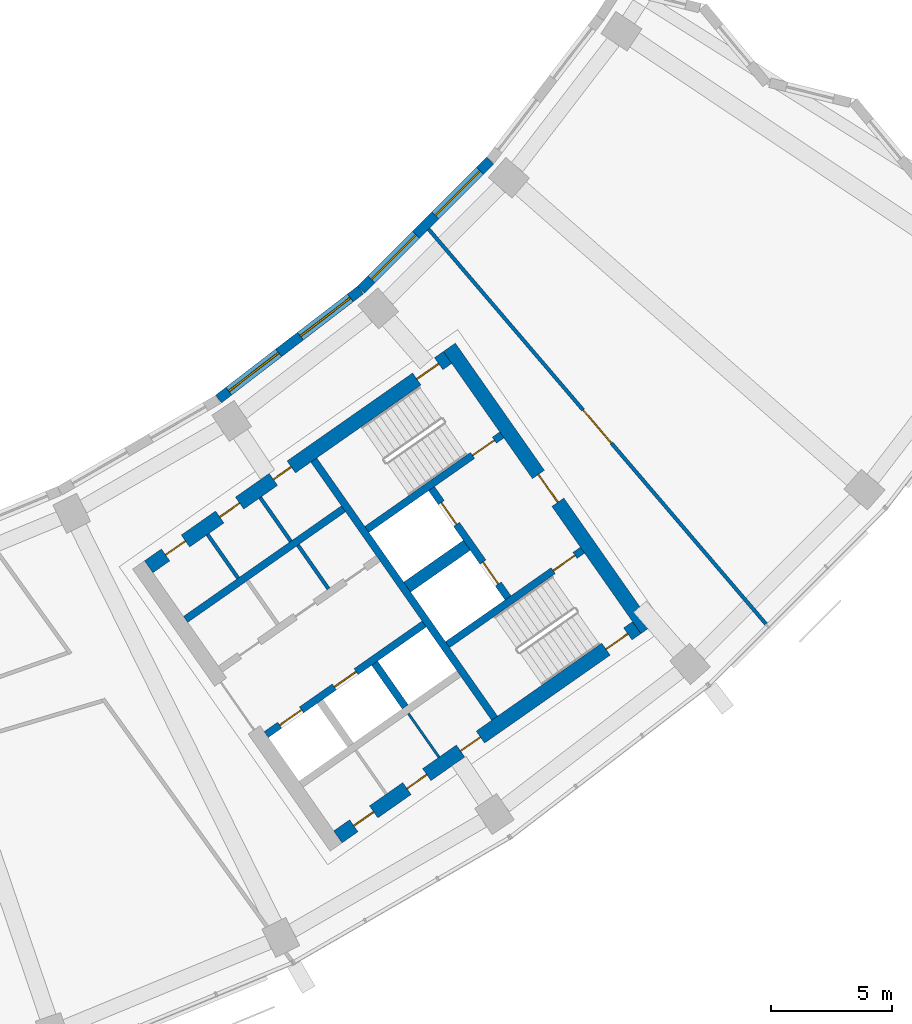
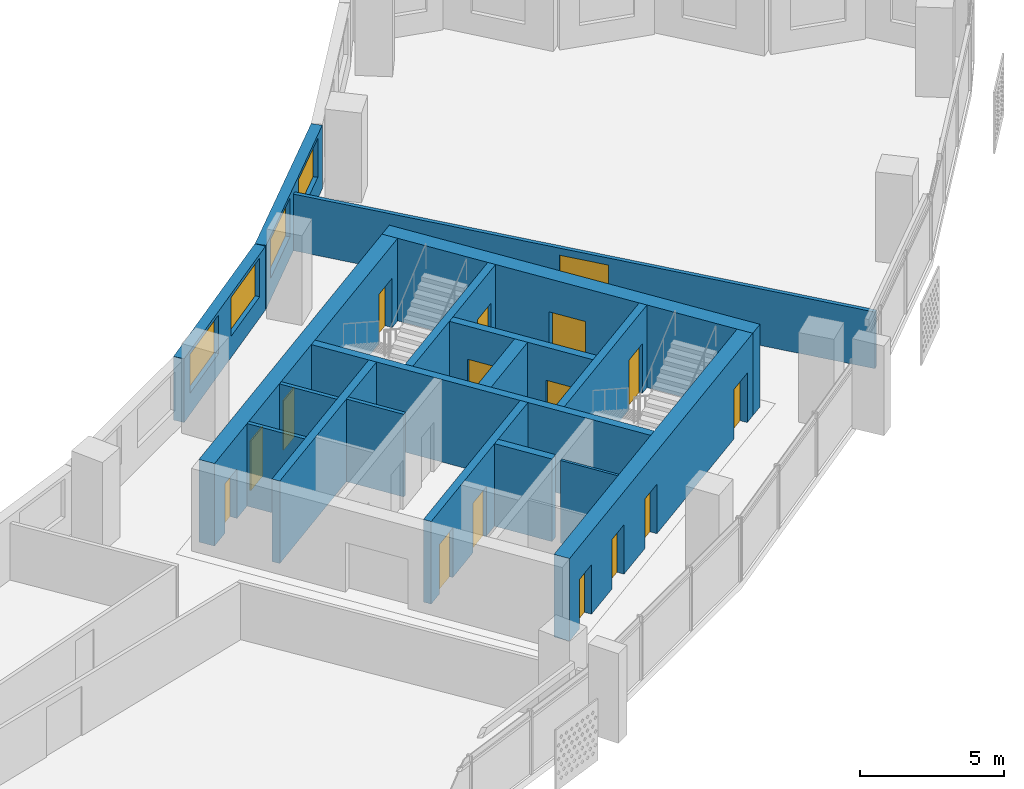
# One storey, part 7 of 26: 18 walls, 16 doors, 4 windows, 20 openings.
"""IFC4 building model written with IfcOpenShell, lengths in metres."""

from ifc_helpers import new_model, si_unit, direction, frame, frame_2d, origin, place, context, subcontext, project, spatial, rectangle, extrude, material, layer, layer_set, type_object, element, fill, save


model = new_model("IFC4")

# Units and contexts
model_context = context("Model", 3, precision=1e-05, world=origin(), true_north=direction((0.0, 1.0)))
body_context = subcontext(model_context, "Body", "Model", "MODEL_VIEW")
ifc_project = project(units=[si_unit("LENGTHUNIT", "METRE"), si_unit("AREAUNIT", "SQUARE_METRE"), si_unit("VOLUMEUNIT", "CUBIC_METRE"), si_unit("PLANEANGLEUNIT", "RADIAN"), si_unit("MASSUNIT", "GRAM", prefix="KILO")], contexts=[model_context])

# Site, building, storey
site_placement = place(None, origin())
site = spatial("IfcSite", under=ifc_project, at=site_placement, CompositionType="ELEMENT")
building_placement = place(site_placement, origin())
building = spatial("IfcBuilding", under=site, at=building_placement, Name="Qamariyya Broadcast Tower", CompositionType="ELEMENT")
storey_placement = place(building_placement, frame((0.0, 0.0, 160.699951171875)))
storey = spatial("IfcBuildingStorey", under=building, at=storey_placement, Name="L37", CompositionType="ELEMENT", Elevation=160.699951171875)

# Wall, opening, door
ifc_material_1 = material(Name="Concrete C60/75", Category="concrete")
ifc_layer_1 = layer(ifc_material_1, 0.60009765625)
ifc_layer_set_1 = layer_set([ifc_layer_1], Name="Core wall 600 mm Concrete C60/75")
wall_type_1 = type_object("IfcWallType", Name="Core wall 600 mm Concrete C60/75", PredefinedType="SHEAR", material=ifc_layer_set_1)
wall_1_placement = place(storey_placement, frame((49.4833984375, -57.031494140625, 0.0), z_axis=(0.0, 0.0, 1.0), x_axis=(-0.573560421458, 0.819163257805, 0.0)))
wall_1 = element("IfcWall", 1, at=wall_1_placement, inside=storey, type_object=wall_type_1, Name="k-E-L37-WH", PredefinedType="SHEAR", context=body_context, shape_type="SweptSolid", body=[
    extrude(rectangle(XDim=14.199951171875, YDim=0.60009765625, at=frame_2d((7.10009765625, 0.0))), origin(), (0.0, 0.0, 1.0), 3.5),
])
opening_1_placement = place(wall_1_placement, frame((6.39990234375, 0.0, 0.0)))
opening_1 = element("IfcOpeningElement", 2, at=opening_1_placement, cuts=wall_1, Name="Opening KD2-E1", PredefinedType="OPENING", context=body_context, shape_type="SweptSolid", body=[
    extrude(rectangle(XDim=1.39990234375, YDim=2.10009765625, at=frame_2d((0.699951171875, 1.050048828125))), frame((0.0, 0.31005859375, 0.0), z_axis=(0.0, -1.0, 0.0), x_axis=(1.0, 0.0, 0.0)), (0.0, 0.0, 1.0), 0.6201171875),
])
ifc_material_2 = material(Name="Steel fire-resisting door leaf", Category="steel")
door_type_1 = type_object("IfcDoorType", Name="Fire-fighting lobby door KD2", OperationType="DOUBLE_DOOR_SINGLE_SWING", PredefinedType="DOOR", material=ifc_material_2)
door_1_placement = place(opening_1_placement, origin())
door_1 = element("IfcDoor", 3, at=door_1_placement, inside=storey, type_object=door_type_1, Name="k-E-L37-WH-D15", OperationType="DOUBLE_DOOR_SINGLE_SWING", OverallHeight=2.10009765625, OverallWidth=1.39990234375, PredefinedType="DOOR", context=body_context, shape_type="SweptSolid", body=[
    extrude(rectangle(XDim=1.39990234375, YDim=2.10009765625, at=frame_2d((0.699951171875, 1.050048828125))), frame((0.0, 0.02490234375, 0.0), z_axis=(0.0, -1.0, 0.0), x_axis=(1.0, 0.0, 0.0)), (0.0, 0.0, 1.0), 0.050048828125),
])
fill(opening_1, door_1)

# Wall, openings, doors
wall_2_placement = place(storey_placement, frame((28.940673828125, -54.447021484375, 0.0), z_axis=(0.0, 0.0, 1.0), x_axis=(0.819153391756, 0.573574511963, 0.0)))
wall_2 = element("IfcWall", 4, at=wall_2_placement, inside=storey, type_object=wall_type_1, Name="k-E-L37-WI", PredefinedType="SHEAR", context=body_context, shape_type="SweptSolid", body=[
    extrude(rectangle(XDim=15.04541015625, YDim=0.60009765625, at=frame_2d((7.522705078125, 0.0))), origin(), (0.0, 0.0, 1.0), 3.5),
])
opening_2_placement = place(wall_2_placement, frame((0.85009765625, 0.0, 0.0)))
opening_2 = element("IfcOpeningElement", 5, at=opening_2_placement, cuts=wall_2, Name="Opening KD6-E3", PredefinedType="OPENING", context=body_context, shape_type="SweptSolid", body=[
    extrude(rectangle(XDim=1.0, YDim=2.10009765625, at=frame_2d((0.5, 1.050048828125))), frame((0.0, 0.31005859375, 0.0), z_axis=(0.0, -1.0, 0.0), x_axis=(1.0, 0.0, 0.0)), (0.0, 0.0, 1.0), 0.6201171875),
])
opening_3_placement = place(wall_2_placement, frame((3.574951171875, 0.0, 0.0)))
opening_3 = element("IfcOpeningElement", 6, at=opening_3_placement, cuts=wall_2, Name="Opening KD7-E1", PredefinedType="OPENING", context=body_context, shape_type="SweptSolid", body=[
    extrude(rectangle(XDim=1.0, YDim=2.10009765625, at=frame_2d((0.5, 1.050048828125))), frame((0.0, 0.31005859375, 0.0), z_axis=(0.0, -1.0, 0.0), x_axis=(1.0, 0.0, 0.0)), (0.0, 0.0, 1.0), 0.6201171875),
])
opening_4_placement = place(wall_2_placement, frame((6.27490234375, 0.0, 0.0)))
opening_4 = element("IfcOpeningElement", 7, at=opening_4_placement, cuts=wall_2, Name="Opening KD5-E1", PredefinedType="OPENING", context=body_context, shape_type="SweptSolid", body=[
    extrude(rectangle(XDim=0.89990234375, YDim=2.10009765625, at=frame_2d((0.449951171875, 1.050048828125))), frame((0.0, 0.31005859375, 0.0), z_axis=(0.0, -1.0, 0.0), x_axis=(1.0, 0.0, 0.0)), (0.0, 0.0, 1.0), 0.6201171875),
])
opening_5_placement = place(wall_2_placement, frame((13.495361328125, 0.0, 0.0)))
opening_5 = element("IfcOpeningElement", 8, at=opening_5_placement, cuts=wall_2, Name="Opening KD1-E1", PredefinedType="OPENING", context=body_context, shape_type="SweptSolid", body=[
    extrude(rectangle(XDim=1.10009765625, YDim=2.10009765625, at=frame_2d((0.550048828125, 1.050048828125))), frame((0.0, 0.31005859375, 0.0), z_axis=(0.0, -1.0, 0.0), x_axis=(1.0, 0.0, 0.0)), (0.0, 0.0, 1.0), 0.6201171875),
])
door_type_2 = type_object("IfcDoorType", Name="Accessible toilet door KD7", OperationType="SINGLE_SWING_LEFT", PredefinedType="DOOR", material=ifc_material_2)
door_2_placement = place(opening_3_placement, origin())
door_2 = element("IfcDoor", 9, at=door_2_placement, inside=storey, type_object=door_type_2, Name="k-E-L37-WI-D8", OperationType="SINGLE_SWING_RIGHT", OverallHeight=2.10009765625, OverallWidth=1.0, PredefinedType="DOOR", context=body_context, shape_type="SweptSolid", body=[
    extrude(rectangle(XDim=1.0, YDim=2.10009765625, at=frame_2d((0.5, 1.050048828125))), frame((0.0, 0.02490234375, 0.0), z_axis=(0.0, -1.0, 0.0), x_axis=(1.0, 0.0, 0.0)), (0.0, 0.0, 1.0), 0.050048828125),
])
fill(opening_3, door_2)
door_type_3 = type_object("IfcDoorType", Name="Core room door KD6", OperationType="SINGLE_SWING_LEFT", PredefinedType="DOOR", material=ifc_material_2)
door_3_placement = place(opening_2_placement, origin())
door_3 = element("IfcDoor", 10, at=door_3_placement, inside=storey, type_object=door_type_3, Name="k-E-L37-WI-D7", OperationType="SINGLE_SWING_LEFT", OverallHeight=2.10009765625, OverallWidth=1.0, PredefinedType="DOOR", context=body_context, shape_type="SweptSolid", body=[
    extrude(rectangle(XDim=1.0, YDim=2.10009765625, at=frame_2d((0.5, 1.050048828125))), frame((0.0, 0.02490234375, 0.0), z_axis=(0.0, -1.0, 0.0), x_axis=(1.0, 0.0, 0.0)), (0.0, 0.0, 1.0), 0.050048828125),
])
fill(opening_2, door_3)
door_type_4 = type_object("IfcDoorType", Name="Stair door KD1", OperationType="SINGLE_SWING_LEFT", PredefinedType="DOOR", material=ifc_material_2)
door_4_placement = place(opening_5_placement, origin())
door_4 = element("IfcDoor", 11, at=door_4_placement, inside=storey, type_object=door_type_4, Name="k-E-L37-WI-D16", OperationType="SINGLE_SWING_RIGHT", OverallHeight=2.10009765625, OverallWidth=1.10009765625, PredefinedType="DOOR", context=body_context, shape_type="SweptSolid", body=[
    extrude(rectangle(XDim=1.10009765625, YDim=2.10009765625, at=frame_2d((0.550048828125, 1.050048828125))), frame((0.0, 0.02490234375, 0.0), z_axis=(0.0, -1.0, 0.0), x_axis=(1.0, 0.0, 0.0)), (0.0, 0.0, 1.0), 0.050048828125),
])
fill(opening_5, door_4)
door_type_5 = type_object("IfcDoorType", Name="Toilet door KD5", OperationType="SINGLE_SWING_LEFT", PredefinedType="DOOR", material=ifc_material_2)
door_5_placement = place(opening_4_placement, origin())
door_5 = element("IfcDoor", 12, at=door_5_placement, inside=storey, type_object=door_type_5, Name="k-E-L37-WI-D9", OperationType="SINGLE_SWING_LEFT", OverallHeight=2.10009765625, OverallWidth=0.89990234375, PredefinedType="DOOR", context=body_context, shape_type="SweptSolid", body=[
    extrude(rectangle(XDim=0.89990234375, YDim=2.10009765625, at=frame_2d((0.449951171875, 1.050048828125))), frame((0.0, 0.02490234375, 0.0), z_axis=(0.0, -1.0, 0.0), x_axis=(1.0, 0.0, 0.0)), (0.0, 0.0, 1.0), 0.050048828125),
])
fill(opening_4, door_5)

wall_3_placement = place(storey_placement, frame((36.7412109375, -65.58740234375, 0.0), z_axis=(0.0, 0.0, 1.0), x_axis=(0.819153391756, 0.573574511963, 0.0)))
wall_3 = element("IfcWall", 13, at=wall_3_placement, inside=storey, type_object=wall_type_1, Name="k-E-L37-WO", PredefinedType="SHEAR", context=body_context, shape_type="SweptSolid", body=[
    extrude(rectangle(XDim=15.04541015625, YDim=0.60009765625, at=frame_2d((7.522705078125, 0.0))), origin(), (0.0, 0.0, 1.0), 3.5),
])
opening_6_placement = place(wall_3_placement, frame((0.800048828125, 0.0, 0.0)))
opening_6 = element("IfcOpeningElement", 14, at=opening_6_placement, cuts=wall_3, Name="Opening KD4-E2", PredefinedType="OPENING", context=body_context, shape_type="SweptSolid", body=[
    extrude(rectangle(XDim=1.0, YDim=2.10009765625, at=frame_2d((0.5, 1.050048828125))), frame((0.0, 0.31005859375, 0.0), z_axis=(0.0, -1.0, 0.0), x_axis=(1.0, 0.0, 0.0)), (0.0, 0.0, 1.0), 0.6201171875),
])
opening_7_placement = place(wall_3_placement, frame((3.47509765625, 0.0, 0.0)))
opening_7 = element("IfcOpeningElement", 15, at=opening_7_placement, cuts=wall_3, Name="Opening KD4-E3", PredefinedType="OPENING", context=body_context, shape_type="SweptSolid", body=[
    extrude(rectangle(XDim=1.0, YDim=2.10009765625, at=frame_2d((0.5, 1.050048828125))), frame((0.0, 0.31005859375, 0.0), z_axis=(0.0, -1.0, 0.0), x_axis=(1.0, 0.0, 0.0)), (0.0, 0.0, 1.0), 0.6201171875),
])
opening_8_placement = place(wall_3_placement, frame((6.175048828125, 0.0, 0.0)))
opening_8 = element("IfcOpeningElement", 16, at=opening_8_placement, cuts=wall_3, Name="Opening KD4-E4", PredefinedType="OPENING", context=body_context, shape_type="SweptSolid", body=[
    extrude(rectangle(XDim=1.0, YDim=2.10009765625, at=frame_2d((0.5, 1.050048828125))), frame((0.0, 0.31005859375, 0.0), z_axis=(0.0, -1.0, 0.0), x_axis=(1.0, 0.0, 0.0)), (0.0, 0.0, 1.0), 0.6201171875),
])
opening_9_placement = place(wall_3_placement, frame((13.495361328125, 0.0, 0.0)))
opening_9 = element("IfcOpeningElement", 17, at=opening_9_placement, cuts=wall_3, Name="Opening KD1-E3", PredefinedType="OPENING", context=body_context, shape_type="SweptSolid", body=[
    extrude(rectangle(XDim=1.10009765625, YDim=2.10009765625, at=frame_2d((0.550048828125, 1.050048828125))), frame((0.0, 0.31005859375, 0.0), z_axis=(0.0, -1.0, 0.0), x_axis=(1.0, 0.0, 0.0)), (0.0, 0.0, 1.0), 0.6201171875),
])
door_type_6 = type_object("IfcDoorType", Name="Riser and plant door KD4", OperationType="SINGLE_SWING_LEFT", PredefinedType="DOOR", material=ifc_material_2)
door_6_placement = place(opening_6_placement, origin())
door_6 = element("IfcDoor", 18, at=door_6_placement, inside=storey, type_object=door_type_6, Name="k-E-L37-WO-D10", OperationType="SINGLE_SWING_RIGHT", OverallHeight=2.10009765625, OverallWidth=1.0, PredefinedType="DOOR", context=body_context, shape_type="SweptSolid", body=[
    extrude(rectangle(XDim=1.0, YDim=2.10009765625, at=frame_2d((0.5, 1.050048828125))), frame((0.0, 0.02490234375, 0.0), z_axis=(0.0, -1.0, 0.0), x_axis=(1.0, 0.0, 0.0)), (0.0, 0.0, 1.0), 0.050048828125),
])
fill(opening_6, door_6)
door_7_placement = place(opening_7_placement, origin())
door_7 = element("IfcDoor", 19, at=door_7_placement, inside=storey, type_object=door_type_6, Name="k-E-L37-WO-D11", OperationType="SINGLE_SWING_LEFT", OverallHeight=2.10009765625, OverallWidth=1.0, PredefinedType="DOOR", context=body_context, shape_type="SweptSolid", body=[
    extrude(rectangle(XDim=1.0, YDim=2.10009765625, at=frame_2d((0.5, 1.050048828125))), frame((0.0, 0.02490234375, 0.0), z_axis=(0.0, -1.0, 0.0), x_axis=(1.0, 0.0, 0.0)), (0.0, 0.0, 1.0), 0.050048828125),
])
fill(opening_7, door_7)
door_8_placement = place(opening_8_placement, origin())
door_8 = element("IfcDoor", 20, at=door_8_placement, inside=storey, type_object=door_type_6, Name="k-E-L37-WO-D12", OperationType="SINGLE_SWING_RIGHT", OverallHeight=2.10009765625, OverallWidth=1.0, PredefinedType="DOOR", context=body_context, shape_type="SweptSolid", body=[
    extrude(rectangle(XDim=1.0, YDim=2.10009765625, at=frame_2d((0.5, 1.050048828125))), frame((0.0, 0.02490234375, 0.0), z_axis=(0.0, -1.0, 0.0), x_axis=(1.0, 0.0, 0.0)), (0.0, 0.0, 1.0), 0.050048828125),
])
fill(opening_8, door_8)
door_9_placement = place(opening_9_placement, origin())
door_9 = element("IfcDoor", 21, at=door_9_placement, inside=storey, type_object=door_type_4, Name="k-E-L37-WO-D18", OperationType="SINGLE_SWING_LEFT", OverallHeight=2.10009765625, OverallWidth=1.10009765625, PredefinedType="DOOR", context=body_context, shape_type="SweptSolid", body=[
    extrude(rectangle(XDim=1.10009765625, YDim=2.10009765625, at=frame_2d((0.550048828125, 1.050048828125))), frame((0.0, 0.02490234375, 0.0), z_axis=(0.0, -1.0, 0.0), x_axis=(1.0, 0.0, 0.0)), (0.0, 0.0, 1.0), 0.050048828125),
])
fill(opening_9, door_9)

# Wall, opening, door
ifc_material_3 = material(Name="Gypsum board partition")
ifc_layer_2 = layer(ifc_material_3, 0.14990234375)
ifc_layer_set_2 = layer_set([ifc_layer_2], Name="Corridor partition 150 EI 60")
wall_type_2 = type_object("IfcWallType", Name="Corridor partition 150 EI 60", PredefinedType="PARTITIONING", material=ifc_layer_set_2)
wall_4_placement = place(storey_placement, frame((40.478759765625, -40.52294921875, 0.0), z_axis=(0.0, 0.0, 1.0), x_axis=(0.649633284071, -0.760247720303, 0.0)))
wall_4 = element("IfcWall", 22, at=wall_4_placement, inside=storey, type_object=wall_type_2, Name="Partition L37-032", PredefinedType="PARTITIONING", context=body_context, shape_type="SweptSolid", body=[
    extrude(rectangle(XDim=21.420166015625, YDim=0.14990234375, at=frame_2d((10.7099609375, 0.0))), origin(), (0.0, 0.0, 1.0), 2.400146484375),
])
opening_10_placement = place(wall_4_placement, frame((9.81005859375, 0.0, 0.0)))
opening_10 = element("IfcOpeningElement", 23, at=opening_10_placement, cuts=wall_4, Name="Opening L37-D16", PredefinedType="OPENING", context=body_context, shape_type="SweptSolid", body=[
    extrude(rectangle(XDim=1.800048828125, YDim=2.10009765625, at=frame_2d((0.89990234375, 1.050048828125))), frame((0.0, 0.0849609375, 0.0), z_axis=(0.0, -1.0, 0.0), x_axis=(1.0, 0.0, 0.0)), (0.0, 0.0, 1.0), 0.169921875),
])
ifc_material_4 = material(Name="Timber fire door leaf", Category="wood")
door_type_7 = type_object("IfcDoorType", Name="Double fire door 1800 x 2100 FD60", OperationType="NOTDEFINED", PredefinedType="DOOR", material=ifc_material_4)
door_10_placement = place(opening_10_placement, origin())
door_10 = element("IfcDoor", 24, at=door_10_placement, inside=storey, type_object=door_type_7, Name="Door L37-D16", OperationType="DOUBLE_DOOR_SINGLE_SWING", OverallHeight=2.10009765625, OverallWidth=1.800048828125, PredefinedType="DOOR", context=body_context, shape_type="SweptSolid", body=[
    extrude(rectangle(XDim=1.800048828125, YDim=2.10009765625, at=frame_2d((0.89990234375, 1.050048828125))), frame((0.0, 0.02490234375, 0.0), z_axis=(0.0, -1.0, 0.0), x_axis=(1.0, 0.0, 0.0)), (0.0, 0.0, 1.0), 0.050048828125),
])
fill(opening_10, door_10)

# Walls
ifc_layer_3 = layer(ifc_material_1, 0.5)
ifc_layer_set_3 = layer_set([ifc_layer_3], Name="Fire-fighting lobby divider wall 500 mm Concrete C60/75")
wall_type_3 = type_object("IfcWallType", Name="Fire-fighting lobby divider wall 500 mm Concrete C60/75", PredefinedType="SOLIDWALL", material=ifc_layer_set_3)
wall_5_placement = place(storey_placement, frame((39.59912109375, -55.28515625, 0.0), z_axis=(0.0, 0.0, 1.0), x_axis=(0.819136323161, 0.573598887793, 0.0)))
element("IfcWall", 25, at=wall_5_placement, inside=storey, type_object=wall_type_3, Name="k-E-L37-FD", PredefinedType="SOLIDWALL", context=body_context, shape_type="SweptSolid", body=[
    extrude(rectangle(XDim=2.999755859375, YDim=0.5, at=frame_2d((1.5, 0.0))), origin(), (0.0, 0.0, 1.0), 3.5),
])
ifc_material_5 = material(Name="Gypsum board partition on steel studs", Category="steel")
ifc_layer_4 = layer(ifc_material_5, 0.14990234375)
ifc_layer_set_4 = layer_set([ifc_layer_4], Name="Gypsum board partition 150 mm")
wall_type_4 = type_object("IfcWallType", Name="Gypsum board partition 150 mm", PredefinedType="PARTITIONING", material=ifc_layer_set_4)
wall_6_placement = place(storey_placement, frame((36.35498046875, -55.359375, 0.0), z_axis=(0.0, 0.0, 1.0), x_axis=(-0.573581496053, 0.819148501424, 0.0)))
element("IfcWall", 26, at=wall_6_placement, inside=storey, type_object=wall_type_4, Name="k-E-L37-NC555", PredefinedType="PARTITIONING", context=body_context, shape_type="SweptSolid", body=[
    extrude(rectangle(XDim=2.2001953125, YDim=0.14990234375, at=frame_2d((1.10009765625, 0.0))), origin(), (0.0, 0.0, 1.0), 3.5),
])
for number, where, z_axis, x_axis, name in (
    (27, (32.627197265625, -54.91748046875, 0.0), (0.0, 0.0, 1.0), (-0.573507030513, 0.819200638399, 0.0), "k-E-L37-NP275"),
    (28, (34.798095703125, -53.3974609375, 0.0), (0.0, 0.0, 1.0), (-0.573633636671, 0.819111989218, 0.0), "k-E-L37-NP540"),
):
    element("IfcWall", number, at=place(storey_placement, frame(where, z_axis=z_axis, x_axis=x_axis)), inside=storey, type_object=wall_type_4, Name=name, PredefinedType="PARTITIONING", context=body_context, shape_type="SweptSolid", body=[
        extrude(rectangle(XDim=2.199951171875, YDim=0.14990234375, at=frame_2d((1.10009765625, 0.0))), origin(), (0.0, 0.0, 1.0), 3.5),
    ])
ifc_layer_5 = layer(ifc_material_1, 0.300048828125)
ifc_layer_set_5 = layer_set([ifc_layer_5], Name="Lift shaft wall 300 mm Concrete C60/75")
wall_type_5 = type_object("IfcWallType", Name="Lift shaft wall 300 mm Concrete C60/75", PredefinedType="SOLIDWALL", material=ifc_layer_set_5)
wall_7_placement = place(storey_placement, frame((43.204345703125, -60.69580078125, 0.0), z_axis=(0.0, 0.0, 1.0), x_axis=(-0.573571992966, 0.819155155563, 0.0)))
element("IfcWall", 29, at=wall_7_placement, inside=storey, type_object=wall_type_5, Name="k-E-L37-WL", PredefinedType="SOLIDWALL", context=body_context, shape_type="SweptSolid", body=[
    extrude(rectangle(XDim=13.000244140625, YDim=0.300048828125, at=frame_2d((6.5, 0.0))), origin(), (0.0, 0.0, 1.0), 3.5),
])
wall_8_placement = place(storey_placement, frame((30.460693359375, -56.61767578125, 0.0), z_axis=(0.0, 0.0, 1.0), x_axis=(0.819142461705, 0.573590121456, 0.0)))
element("IfcWall", 30, at=wall_8_placement, inside=storey, type_object=wall_type_5, Name="k-E-L37-NB0", PredefinedType="SOLIDWALL", context=body_context, shape_type="SweptSolid", body=[
    extrude(rectangle(XDim=7.949951171875, YDim=0.300048828125, at=frame_2d((3.97509765625, 0.0))), origin(), (0.0, 0.0, 1.0), 3.5),
])

# Wall, openings, doors
wall_9_placement = place(storey_placement, frame((33.787353515625, -61.368896484375, 0.0), z_axis=(0.0, 0.0, 1.0), x_axis=(0.819152564888, 0.573575692858, 0.0)))
wall_9 = element("IfcWall", 31, at=wall_9_placement, inside=storey, type_object=wall_type_5, Name="k-E-L37-SF0", PredefinedType="SOLIDWALL", context=body_context, shape_type="SweptSolid", body=[
    extrude(rectangle(XDim=7.9501953125, YDim=0.300048828125, at=frame_2d((3.97509765625, 0.0))), origin(), (0.0, 0.0, 1.0), 3.5),
])
opening_11_placement = place(wall_9_placement, frame((0.675048828125, 0.0, 0.0)))
opening_11 = element("IfcOpeningElement", 32, at=opening_11_placement, cuts=wall_9, Name="Opening LD", PredefinedType="OPENING", context=body_context, shape_type="SweptSolid", body=[
    extrude(rectangle(XDim=1.10009765625, YDim=2.10009765625, at=frame_2d((0.550048828125, 1.050048828125))), frame((0.0, 0.159912109375, 0.0), z_axis=(0.0, -1.0, 0.0), x_axis=(1.0, 0.0, 0.0)), (0.0, 0.0, 1.0), 0.320068359375),
])
opening_12_placement = place(wall_9_placement, frame((3.425048828125, 0.0, 0.0)))
opening_12 = element("IfcOpeningElement", 33, at=opening_12_placement, cuts=wall_9, Name="Opening LD", PredefinedType="OPENING", context=body_context, shape_type="SweptSolid", body=[
    extrude(rectangle(XDim=1.10009765625, YDim=2.10009765625, at=frame_2d((0.550048828125, 1.050048828125))), frame((0.0, 0.159912109375, 0.0), z_axis=(0.0, -1.0, 0.0), x_axis=(1.0, 0.0, 0.0)), (0.0, 0.0, 1.0), 0.320068359375),
])
door_type_8 = type_object("IfcDoorType", Name="Lift landing door LD", OperationType="DOUBLE_DOOR_SLIDING", PredefinedType="DOOR", material=ifc_material_2)
door_11_placement = place(opening_11_placement, origin())
door_11 = element("IfcDoor", 34, at=door_11_placement, inside=storey, type_object=door_type_8, Name="k-E-L37-SF0-D5", OperationType="DOUBLE_DOOR_SLIDING", OverallHeight=2.10009765625, OverallWidth=1.10009765625, PredefinedType="DOOR", context=body_context, shape_type="SweptSolid", body=[
    extrude(rectangle(XDim=1.10009765625, YDim=2.10009765625, at=frame_2d((0.550048828125, 1.050048828125))), frame((0.0, 0.02490234375, 0.0), z_axis=(0.0, -1.0, 0.0), x_axis=(1.0, 0.0, 0.0)), (0.0, 0.0, 1.0), 0.050048828125),
])
fill(opening_11, door_11)
door_12_placement = place(opening_12_placement, origin())
door_12 = element("IfcDoor", 35, at=door_12_placement, inside=storey, type_object=door_type_8, Name="k-E-L37-SF0-D6", OperationType="DOUBLE_DOOR_SLIDING", OverallHeight=2.10009765625, OverallWidth=1.10009765625, PredefinedType="DOOR", context=body_context, shape_type="SweptSolid", body=[
    extrude(rectangle(XDim=1.10009765625, YDim=2.10009765625, at=frame_2d((0.550048828125, 1.050048828125))), frame((0.0, 0.02490234375, 0.0), z_axis=(0.0, -1.0, 0.0), x_axis=(1.0, 0.0, 0.0)), (0.0, 0.0, 1.0), 0.050048828125),
])
fill(opening_12, door_12)

# Wall
wall_10_placement = place(storey_placement, frame((38.255859375, -58.423095703125, 0.0), z_axis=(0.0, 0.0, 1.0), x_axis=(0.573633636671, -0.819111989218, 0.0)))
element("IfcWall", 36, at=wall_10_placement, inside=storey, type_object=wall_type_5, Name="k-E-L37-SD1", PredefinedType="SOLIDWALL", context=body_context, shape_type="SweptSolid", body=[
    extrude(rectangle(XDim=2.199951171875, YDim=0.300048828125, at=frame_2d((1.10009765625, 0.0))), origin(), (0.0, 0.0, 1.0), 3.5),
])

# Wall, opening, door
wall_11_placement = place(storey_placement, frame((37.935546875, -52.90966796875, 0.0), z_axis=(0.0, 0.0, 1.0), x_axis=(0.819147518138, 0.57358290031, 0.0)))
wall_11 = element("IfcWall", 37, at=wall_11_placement, inside=storey, type_object=wall_type_5, Name="k-E-L37-NW", PredefinedType="SOLIDWALL", context=body_context, shape_type="SweptSolid", body=[
    extrude(rectangle(XDim=6.79541015625, YDim=0.300048828125, at=frame_2d((3.397705078125, 0.0))), origin(), (0.0, 0.0, 1.0), 3.5),
])
opening_13_placement = place(wall_11_placement, frame((5.3203125, 0.0, 0.0)))
opening_13 = element("IfcOpeningElement", 38, at=opening_13_placement, cuts=wall_11, Name="Opening KD1-E2", PredefinedType="OPENING", context=body_context, shape_type="SweptSolid", body=[
    extrude(rectangle(XDim=1.10009765625, YDim=2.10009765625, at=frame_2d((0.550048828125, 1.050048828125))), frame((0.0, 0.159912109375, 0.0), z_axis=(0.0, -1.0, 0.0), x_axis=(1.0, 0.0, 0.0)), (0.0, 0.0, 1.0), 0.320068359375),
])
door_13_placement = place(opening_13_placement, origin())
door_13 = element("IfcDoor", 39, at=door_13_placement, inside=storey, type_object=door_type_4, Name="k-E-L37-NW-D17", OperationType="SINGLE_SWING_LEFT", OverallHeight=2.10009765625, OverallWidth=1.10009765625, PredefinedType="DOOR", context=body_context, shape_type="SweptSolid", body=[
    extrude(rectangle(XDim=1.10009765625, YDim=2.10009765625, at=frame_2d((0.550048828125, 1.050048828125))), frame((0.0, 0.02490234375, 0.0), z_axis=(0.0, -1.0, 0.0), x_axis=(1.0, 0.0, 0.0)), (0.0, 0.0, 1.0), 0.050048828125),
])
fill(opening_13, door_13)

wall_12_placement = place(storey_placement, frame((41.262451171875, -57.66064453125, 0.0), z_axis=(0.0, 0.0, 1.0), x_axis=(0.819164398642, 0.573558792102, 0.0)))
wall_12 = element("IfcWall", 40, at=wall_12_placement, inside=storey, type_object=wall_type_5, Name="k-E-L37-SW", PredefinedType="SOLIDWALL", context=body_context, shape_type="SweptSolid", body=[
    extrude(rectangle(XDim=6.795166015625, YDim=0.300048828125, at=frame_2d((3.3974609375, 0.0))), origin(), (0.0, 0.0, 1.0), 3.5),
])
opening_14_placement = place(wall_12_placement, frame((5.3203125, 0.0, 0.0)))
opening_14 = element("IfcOpeningElement", 41, at=opening_14_placement, cuts=wall_12, Name="Opening KD1-E4", PredefinedType="OPENING", context=body_context, shape_type="SweptSolid", body=[
    extrude(rectangle(XDim=1.10009765625, YDim=2.10009765625, at=frame_2d((0.550048828125, 1.050048828125))), frame((0.0, 0.159912109375, 0.0), z_axis=(0.0, -1.0, 0.0), x_axis=(1.0, 0.0, 0.0)), (0.0, 0.0, 1.0), 0.320068359375),
])
door_14_placement = place(opening_14_placement, origin())
door_14 = element("IfcDoor", 42, at=door_14_placement, inside=storey, type_object=door_type_4, Name="k-E-L37-SW-D19", OperationType="SINGLE_SWING_LEFT", OverallHeight=2.10009765625, OverallWidth=1.10009765625, PredefinedType="DOOR", context=body_context, shape_type="SweptSolid", body=[
    extrude(rectangle(XDim=1.10009765625, YDim=2.10009765625, at=frame_2d((0.550048828125, 1.050048828125))), frame((0.0, 0.02490234375, 0.0), z_axis=(0.0, -1.0, 0.0), x_axis=(1.0, 0.0, 0.0)), (0.0, 0.0, 1.0), 0.050048828125),
])
fill(opening_14, door_14)

# Wall, openings, doors
wall_13_placement = place(storey_placement, frame((43.756591796875, -55.731201171875, 0.0), z_axis=(0.0, 0.0, 1.0), x_axis=(-0.573536818435, 0.819179783625, 0.0)))
wall_13 = element("IfcWall", 43, at=wall_13_placement, inside=storey, type_object=wall_type_5, Name="k-E-L37-FF", PredefinedType="SOLIDWALL", context=body_context, shape_type="SweptSolid", body=[
    extrude(rectangle(XDim=5.500244140625, YDim=0.300048828125, at=frame_2d((2.75, 0.0))), origin(), (0.0, 0.0, 1.0), 3.5),
])
opening_15_placement = place(wall_13_placement, frame((0.699951171875, 0.0, 0.0)))
opening_15 = element("IfcOpeningElement", 44, at=opening_15_placement, cuts=wall_13, Name="Opening LD", PredefinedType="OPENING", context=body_context, shape_type="SweptSolid", body=[
    extrude(rectangle(XDim=1.10009765625, YDim=2.10009765625, at=frame_2d((0.550048828125, 1.050048828125))), frame((0.0, 0.159912109375, 0.0), z_axis=(0.0, -1.0, 0.0), x_axis=(1.0, 0.0, 0.0)), (0.0, 0.0, 1.0), 0.320068359375),
])
opening_16_placement = place(wall_13_placement, frame((3.699951171875, 0.0, 0.0)))
opening_16 = element("IfcOpeningElement", 45, at=opening_16_placement, cuts=wall_13, Name="Opening LD", PredefinedType="OPENING", context=body_context, shape_type="SweptSolid", body=[
    extrude(rectangle(XDim=1.10009765625, YDim=2.10009765625, at=frame_2d((0.550048828125, 1.050048828125))), frame((0.0, 0.159912109375, 0.0), z_axis=(0.0, -1.0, 0.0), x_axis=(1.0, 0.0, 0.0)), (0.0, 0.0, 1.0), 0.320068359375),
])
door_15_placement = place(opening_15_placement, origin())
door_15 = element("IfcDoor", 46, at=door_15_placement, inside=storey, type_object=door_type_8, Name="k-E-L37-FF-D13", OperationType="DOUBLE_DOOR_SLIDING", OverallHeight=2.10009765625, OverallWidth=1.10009765625, PredefinedType="DOOR", context=body_context, shape_type="SweptSolid", body=[
    extrude(rectangle(XDim=1.10009765625, YDim=2.10009765625, at=frame_2d((0.550048828125, 1.050048828125))), frame((0.0, 0.02490234375, 0.0), z_axis=(0.0, -1.0, 0.0), x_axis=(1.0, 0.0, 0.0)), (0.0, 0.0, 1.0), 0.050048828125),
])
fill(opening_15, door_15)
door_16_placement = place(opening_16_placement, origin())
door_16 = element("IfcDoor", 47, at=door_16_placement, inside=storey, type_object=door_type_8, Name="k-E-L37-FF-D14", OperationType="DOUBLE_DOOR_SLIDING", OverallHeight=2.10009765625, OverallWidth=1.10009765625, PredefinedType="DOOR", context=body_context, shape_type="SweptSolid", body=[
    extrude(rectangle(XDim=1.10009765625, YDim=2.10009765625, at=frame_2d((0.550048828125, 1.050048828125))), frame((0.0, 0.02490234375, 0.0), z_axis=(0.0, -1.0, 0.0), x_axis=(1.0, 0.0, 0.0)), (0.0, 0.0, 1.0), 0.050048828125),
])
fill(opening_16, door_16)

# Wall
ifc_material_6 = material(Name="Fire-rated gypsum shaft liner on steel studs", Category="steel")
ifc_layer_6 = layer(ifc_material_6, 0.10009765625)
ifc_layer_set_6 = layer_set([ifc_layer_6], Name="Riser wall 100 mm")
wall_type_6 = type_object("IfcWallType", Name="Riser wall 100 mm", PredefinedType="PLUMBINGWALL", material=ifc_layer_set_6)
wall_14_placement = place(storey_placement, frame((39.64892578125, -60.49951171875, 0.0), z_axis=(0.0, 0.0, 1.0), x_axis=(0.573507030513, -0.819200638399, 0.0)))
element("IfcWall", 48, at=wall_14_placement, inside=storey, type_object=wall_type_6, Name="k-E-L37-SP530", PredefinedType="PLUMBINGWALL", context=body_context, shape_type="SweptSolid", body=[
    extrude(rectangle(XDim=2.199951171875, YDim=0.10009765625, at=frame_2d((1.10009765625, 0.0))), origin(), (0.0, 0.0, 1.0), 3.5),
])

# Wall, openings, windows
ifc_material_7 = material(Name="Terracotta", Category="masonry")
ifc_layer_7 = layer(ifc_material_7, 0.39990234375)
ifc_layer_set_7 = layer_set([ifc_layer_7], Name="Terracotta clad wall 400")
wall_type_7 = type_object("IfcWallType", Name="Terracotta clad wall 400", PredefinedType="SOLIDWALL", material=ifc_layer_set_7)
wall_15_placement = place(storey_placement, frame((37.674560546875, -43.036376953125, 0.0), z_axis=(0.0, 0.0, 1.0), x_axis=(-0.79334647843, -0.608770371457, 0.0)))
wall_15 = element("IfcWall", 49, at=wall_15_placement, inside=storey, type_object=wall_type_7, Name="e-wl-L37-in120", PredefinedType="SOLIDWALL", context=body_context, shape_type="SweptSolid", body=[
    extrude(rectangle(XDim=7.380615234375, YDim=0.39990234375, at=frame_2d((3.6904296875, 0.0))), origin(), (0.0, 0.0, 1.0), 2.699951171875),
])
opening_17_placement = place(wall_15_placement, frame((4.25439453125, 0.0, 0.89990234375)))
opening_17 = element("IfcOpeningElement", 50, at=opening_17_placement, cuts=wall_15, Name="Opening W1", PredefinedType="OPENING", context=body_context, shape_type="SweptSolid", body=[
    extrude(rectangle(XDim=2.60009765625, YDim=1.64990234375, at=frame_2d((1.300048828125, 0.824951171875))), frame((0.0, 0.2099609375, 0.0), z_axis=(0.0, -1.0, 0.0), x_axis=(1.0, 0.0, 0.0)), (0.0, 0.0, 1.0), 0.419921875),
])
opening_18_placement = place(wall_15_placement, frame((0.5263671875, 0.0, 0.89990234375)))
opening_18 = element("IfcOpeningElement", 51, at=opening_18_placement, cuts=wall_15, Name="Opening W1", PredefinedType="OPENING", context=body_context, shape_type="SweptSolid", body=[
    extrude(rectangle(XDim=2.60009765625, YDim=1.64990234375, at=frame_2d((1.300048828125, 0.824951171875))), frame((0.0, 0.2099609375, 0.0), z_axis=(0.0, -1.0, 0.0), x_axis=(1.0, 0.0, 0.0)), (0.0, 0.0, 1.0), 0.419921875),
])
ifc_material_8 = material(Name="Clear low-e double glazed unit in aluminium frame", Category="aluminium")
window_type = type_object("IfcWindowType", Name="Ribbon window 2600 x 1650", PartitioningType="SINGLE_PANEL", PredefinedType="WINDOW", material=ifc_material_8)
window_1_placement = place(opening_17_placement, origin())
window_1 = element("IfcWindow", 52, at=window_1_placement, inside=storey, type_object=window_type, Name="e-w-L37-in12-0", OverallHeight=1.64990234375, OverallWidth=2.60009765625, PartitioningType="SINGLE_PANEL", PredefinedType="WINDOW", context=body_context, shape_type="SweptSolid", body=[
    extrude(rectangle(XDim=2.60009765625, YDim=1.64990234375, at=frame_2d((1.300048828125, 0.824951171875))), frame((0.0, 0.030029296875, 0.0), z_axis=(0.0, -1.0, 0.0), x_axis=(1.0, 0.0, 0.0)), (0.0, 0.0, 1.0), 0.06005859375),
])
fill(opening_17, window_1)
window_2_placement = place(opening_18_placement, origin())
window_2 = element("IfcWindow", 53, at=window_2_placement, inside=storey, type_object=window_type, Name="e-w-L37-in12-1", OverallHeight=1.64990234375, OverallWidth=2.60009765625, PartitioningType="SINGLE_PANEL", PredefinedType="WINDOW", context=body_context, shape_type="SweptSolid", body=[
    extrude(rectangle(XDim=2.60009765625, YDim=1.64990234375, at=frame_2d((1.300048828125, 0.824951171875))), frame((0.0, 0.030029296875, 0.0), z_axis=(0.0, -1.0, 0.0), x_axis=(1.0, 0.0, 0.0)), (0.0, 0.0, 1.0), 0.06005859375),
])
fill(opening_18, window_2)

wall_16_placement = place(storey_placement, frame((43.023193359375, -37.697265625, 0.0), z_axis=(0.0, 0.0, 1.0), x_axis=(-0.707106781187, -0.707106781187, 0.0)))
wall_16 = element("IfcWall", 54, at=wall_16_placement, inside=storey, type_object=wall_type_7, Name="e-wl-L37-in130", PredefinedType="SOLIDWALL", context=body_context, shape_type="SweptSolid", body=[
    extrude(rectangle(XDim=7.531982421875, YDim=0.39990234375, at=frame_2d((3.76611328125, 0.0))), origin(), (0.0, 0.0, 1.0), 2.699951171875),
])
opening_19_placement = place(wall_16_placement, frame((4.330078125, 0.0, 0.89990234375)))
opening_19 = element("IfcOpeningElement", 55, at=opening_19_placement, cuts=wall_16, Name="Opening W1", PredefinedType="OPENING", context=body_context, shape_type="SweptSolid", body=[
    extrude(rectangle(XDim=2.60009765625, YDim=1.64990234375, at=frame_2d((1.300048828125, 0.824951171875))), frame((0.0, 0.2099609375, 0.0), z_axis=(0.0, -1.0, 0.0), x_axis=(1.0, 0.0, 0.0)), (0.0, 0.0, 1.0), 0.419921875),
])
opening_20_placement = place(wall_16_placement, frame((0.60205078125, 0.0, 0.89990234375)))
opening_20 = element("IfcOpeningElement", 56, at=opening_20_placement, cuts=wall_16, Name="Opening W1", PredefinedType="OPENING", context=body_context, shape_type="SweptSolid", body=[
    extrude(rectangle(XDim=2.60009765625, YDim=1.64990234375, at=frame_2d((1.300048828125, 0.824951171875))), frame((0.0, 0.2099609375, 0.0), z_axis=(0.0, -1.0, 0.0), x_axis=(1.0, 0.0, 0.0)), (0.0, 0.0, 1.0), 0.419921875),
])
window_3_placement = place(opening_19_placement, origin())
window_3 = element("IfcWindow", 57, at=window_3_placement, inside=storey, type_object=window_type, Name="e-w-L37-in13-0", OverallHeight=1.64990234375, OverallWidth=2.60009765625, PartitioningType="SINGLE_PANEL", PredefinedType="WINDOW", context=body_context, shape_type="SweptSolid", body=[
    extrude(rectangle(XDim=2.60009765625, YDim=1.64990234375, at=frame_2d((1.300048828125, 0.824951171875))), frame((0.0, 0.030029296875, 0.0), z_axis=(0.0, -1.0, 0.0), x_axis=(1.0, 0.0, 0.0)), (0.0, 0.0, 1.0), 0.06005859375),
])
fill(opening_19, window_3)
window_4_placement = place(opening_20_placement, origin())
window_4 = element("IfcWindow", 58, at=window_4_placement, inside=storey, type_object=window_type, Name="e-w-L37-in13-1", OverallHeight=1.64990234375, OverallWidth=2.60009765625, PartitioningType="SINGLE_PANEL", PredefinedType="WINDOW", context=body_context, shape_type="SweptSolid", body=[
    extrude(rectangle(XDim=2.60009765625, YDim=1.64990234375, at=frame_2d((1.300048828125, 0.824951171875))), frame((0.0, 0.030029296875, 0.0), z_axis=(0.0, -1.0, 0.0), x_axis=(1.0, 0.0, 0.0)), (0.0, 0.0, 1.0), 0.06005859375),
])
fill(opening_20, window_4)

save(model, "model.ifc")
